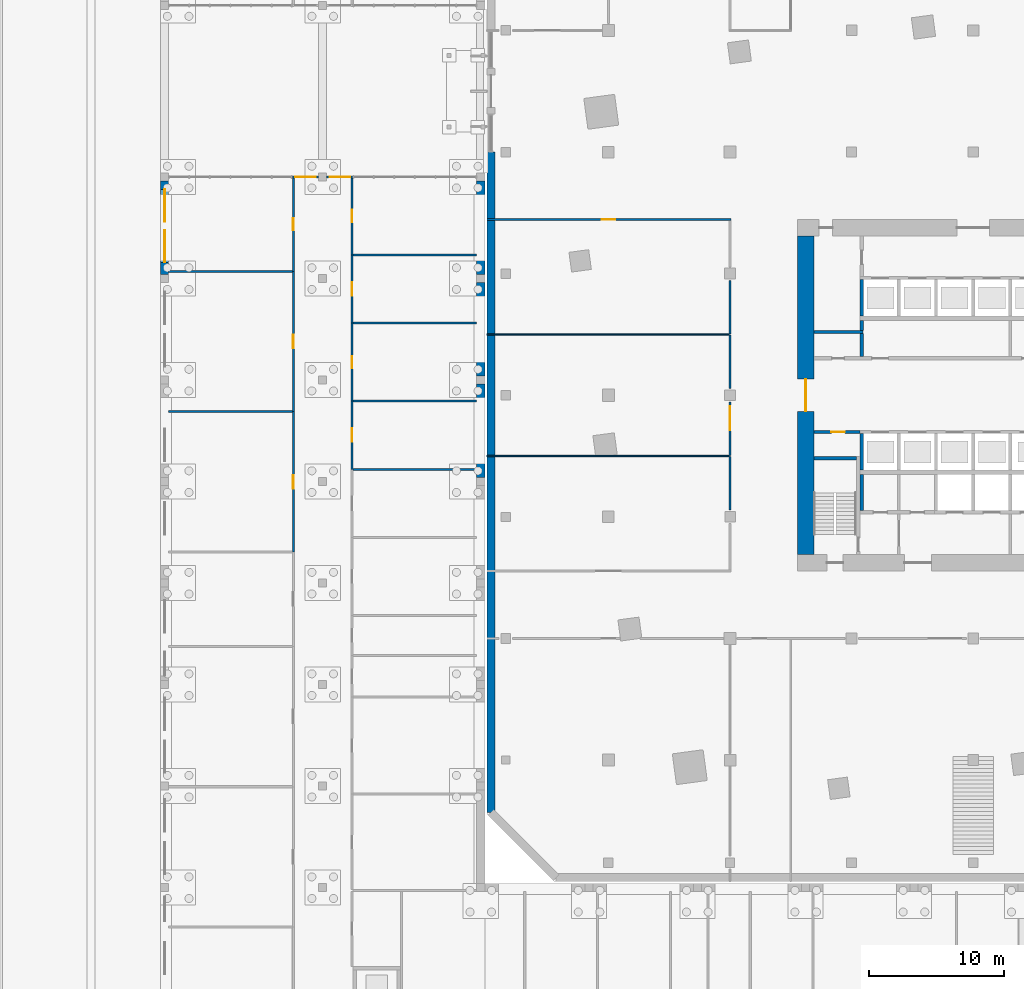
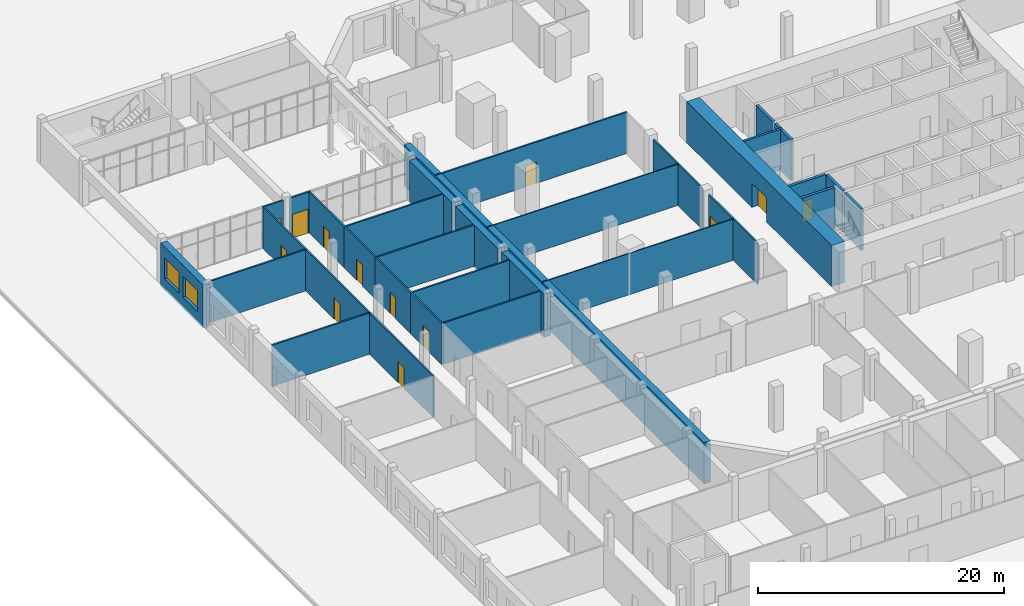
# One storey, part 29 of 42: 36 walls, 13 doors, 2 windows, 15 openings.
"""IFC4 building model written with IfcOpenShell, lengths in metres."""

from ifc_helpers import new_model, si_unit, direction, frame, frame_2d, origin, place, context, subcontext, project, spatial, rectangle, extrude, material, layer, layer_set, type_object, element, fill, save


model = new_model("IFC4")

# Units and contexts
model_context = context("Model", 3, precision=1e-05, world=origin(), true_north=direction((0.0, 1.0)))
body_context = subcontext(model_context, "Body", "Model", "MODEL_VIEW")
ifc_project = project(units=[si_unit("LENGTHUNIT", "METRE"), si_unit("AREAUNIT", "SQUARE_METRE"), si_unit("VOLUMEUNIT", "CUBIC_METRE"), si_unit("PLANEANGLEUNIT", "RADIAN"), si_unit("MASSUNIT", "GRAM", prefix="KILO")], contexts=[model_context])

# Site, building, storey
site_placement = place(None, origin())
site = spatial("IfcSite", under=ifc_project, at=site_placement, CompositionType="ELEMENT")
building_placement = place(site_placement, origin())
building = spatial("IfcBuilding", under=site, at=building_placement, Name="Dilmun Exchange Tower", CompositionType="ELEMENT")
storey_placement = place(building_placement, origin())
storey = spatial("IfcBuildingStorey", under=building, at=storey_placement, Name="L00", CompositionType="ELEMENT", Elevation=0.0)

# Walls
ifc_material_1 = material(Name="Concrete C40/50", Category="concrete")
ifc_layer_1 = layer(ifc_material_1, 0.199951171875)
ifc_layer_set_1 = layer_set([ifc_layer_1], Name="Concrete C40/50")
wall_type_1 = type_object("IfcWallType", Name="Core partition wall 200", PredefinedType="PARTITIONING", material=ifc_layer_set_1)
wall_1_placement = place(storey_placement, frame((-11.794921875, 4.675048828125, 0.0), z_axis=(0.0, 0.0, 1.0), x_axis=(1.0, 0.0, 0.0)))
element("IfcWall", 1, at=wall_1_placement, inside=storey, type_object=wall_type_1, Name="L00 core partition wall 14", PredefinedType="PARTITIONING", context=body_context, shape_type="SweptSolid", body=[
    extrude(rectangle(XDim=3.64501953125, YDim=0.199951171875, at=frame_2d((1.822509765625, 0.0))), origin(), (0.0, 0.0, 1.0), 4.10009765625),
])
ifc_layer_2 = layer(ifc_material_1, 0.25)
ifc_layer_set_2 = layer_set([ifc_layer_2], Name="Concrete C40/50")
wall_type_2 = type_object("IfcWallType", Name="Core partition wall 250", PredefinedType="PARTITIONING", material=ifc_layer_set_2)
wall_2_placement = place(storey_placement, frame((-8.25, -8.544921875, 0.0), z_axis=(0.0, 0.0, 1.0), x_axis=(0.0, 1.0, 0.0)))
element("IfcWall", 2, at=wall_2_placement, inside=storey, type_object=wall_type_2, Name="L00 core partition wall 04", PredefinedType="PARTITIONING", context=body_context, shape_type="SweptSolid", body=[
    extrude(rectangle(XDim=2.68994140625, YDim=0.25, at=frame_2d((1.344970703125, 0.0))), origin(), (0.0, 0.0, 1.0), 4.10009765625),
])

# Wall, opening, door
wall_3_placement = place(storey_placement, frame((-11.794921875, -2.72509765625, 0.0), z_axis=(0.0, 0.0, 1.0), x_axis=(1.0, 0.0, 0.0)))
wall_3 = element("IfcWall", 3, at=wall_3_placement, inside=storey, type_object=wall_type_2, Name="L00 core partition wall 07", PredefinedType="PARTITIONING", context=body_context, shape_type="SweptSolid", body=[
    extrude(rectangle(XDim=3.4150390625, YDim=0.25, at=frame_2d((1.70751953125, 0.0))), origin(), (0.0, 0.0, 1.0), 4.10009765625),
])
opening_1_placement = place(wall_3_placement, frame((1.294921875, 0.0, 0.0)))
opening_1 = element("IfcOpeningElement", 4, at=opening_1_placement, cuts=wall_3, Name="Opening CD4", PredefinedType="OPENING", context=body_context, shape_type="SweptSolid", body=[
    extrude(rectangle(XDim=1.0, YDim=2.10009765625, at=frame_2d((0.5, 1.050048828125))), frame((0.0, 0.135009765625, 0.0), z_axis=(0.0, -1.0, 0.0), x_axis=(1.0, 0.0, 0.0)), (0.0, 0.0, 1.0), 0.27001953125),
])
ifc_material_2 = material(Name="Fire-rated steel door set", Category="steel")
door_type_1 = type_object("IfcDoorType", Name="Core room door 1000x2100", OperationType="SINGLE_SWING_LEFT", PredefinedType="DOOR", material=ifc_material_2)
door_1_placement = place(opening_1_placement, origin())
door_1 = element("IfcDoor", 5, at=door_1_placement, inside=storey, type_object=door_type_1, Name="L00 door Accessible WC", OperationType="SINGLE_SWING_LEFT", OverallHeight=2.10009765625, OverallWidth=1.0, PredefinedType="DOOR", context=body_context, shape_type="SweptSolid", body=[
    extrude(rectangle(XDim=1.0, YDim=2.10009765625, at=frame_2d((0.5, 1.050048828125))), frame((0.0, 0.02490234375, 0.0), z_axis=(0.0, -1.0, 0.0), x_axis=(1.0, 0.0, 0.0)), (0.0, 0.0, 1.0), 0.050048828125),
])
fill(opening_1, door_1)

# Walls
wall_4_placement = place(storey_placement, frame((-8.25, 2.85498046875, 0.0), z_axis=(0.0, 0.0, 1.0), x_axis=(0.0, 1.0, 0.0)))
element("IfcWall", 6, at=wall_4_placement, inside=storey, type_object=wall_type_2, Name="L00 core partition wall 11", PredefinedType="PARTITIONING", context=body_context, shape_type="SweptSolid", body=[
    extrude(rectangle(XDim=1.715087890625, YDim=0.25, at=frame_2d((0.857421875, 0.0))), origin(), (0.0, 0.0, 1.0), 4.10009765625),
])
wall_5_placement = place(storey_placement, frame((-8.25, 4.780029296875, 0.0), z_axis=(0.0, 0.0, 1.0), x_axis=(0.0, 1.0, 0.0)))
element("IfcWall", 7, at=wall_5_placement, inside=storey, type_object=wall_type_2, Name="L00 core partition wall 15", PredefinedType="PARTITIONING", context=body_context, shape_type="SweptSolid", body=[
    extrude(rectangle(XDim=0.764892578125, YDim=0.25, at=frame_2d((0.38232421875, 0.0))), origin(), (0.0, 0.0, 1.0), 4.10009765625),
])

# Wall, opening, door
ifc_material_3 = material(Name="Concrete C80/95", Category="concrete")
ifc_layer_3 = layer(ifc_material_3, 1.199951171875)
ifc_layer_set_3 = layer_set([ifc_layer_3], Name="Concrete C80/95")
wall_type_3 = type_object("IfcWallType", Name="Core shear wall 1200 Concrete C80/95", PredefinedType="SHEAR", material=ifc_layer_set_3)
wall_6_placement = place(storey_placement, frame((-12.39990234375, -11.800048828125, 0.0), z_axis=(0.0, 0.0, 1.0), x_axis=(0.0, 1.0, 0.0)))
wall_6 = element("IfcWall", 8, at=wall_6_placement, inside=storey, type_object=wall_type_3, Name="L00 core shear wall W", PredefinedType="SHEAR", context=body_context, shape_type="SweptSolid", body=[
    extrude(rectangle(XDim=23.60009765625, YDim=1.199951171875, at=frame_2d((11.800048828125, 0.0))), origin(), (0.0, 0.0, 1.0), 4.10009765625),
])
opening_2_placement = place(wall_6_placement, frame((10.60009765625, 0.0, 0.0)))
opening_2 = element("IfcOpeningElement", 9, at=opening_2_placement, cuts=wall_6, Name="Opening CD1", PredefinedType="OPENING", context=body_context, shape_type="SweptSolid", body=[
    extrude(rectangle(XDim=2.39990234375, YDim=2.39990234375, at=frame_2d((1.199951171875, 1.199951171875))), frame((0.0, 0.60986328125, 0.0), z_axis=(0.0, -1.0, 0.0), x_axis=(1.0, 0.0, 0.0)), (0.0, 0.0, 1.0), 1.219970703125),
])
door_type_2 = type_object("IfcDoorType", Name="Core lobby door 2400x2400", OperationType="DOUBLE_DOOR_DOUBLE_SWING", PredefinedType="DOOR", material=ifc_material_2)
door_2_placement = place(opening_2_placement, origin())
door_2 = element("IfcDoor", 10, at=door_2_placement, inside=storey, type_object=door_type_2, Name="L00 door Central lift lobby", OperationType="SINGLE_SWING_LEFT", OverallHeight=2.39990234375, OverallWidth=2.39990234375, PredefinedType="DOOR", context=body_context, shape_type="SweptSolid", body=[
    extrude(rectangle(XDim=2.39990234375, YDim=2.39990234375, at=frame_2d((1.199951171875, 1.199951171875))), frame((0.0, 0.02490234375, 0.0), z_axis=(0.0, -1.0, 0.0), x_axis=(1.0, 0.0, 0.0)), (0.0, 0.0, 1.0), 0.050048828125),
])
fill(opening_2, door_2)

ifc_material_4 = material(Name="Fire partition EI 60 150 gypsum")
ifc_layer_4 = layer(ifc_material_4, 0.14990234375)
ifc_layer_set_4 = layer_set([ifc_layer_4], Name="Fire partition EI 60 150 gypsum")
wall_type_4 = type_object("IfcWallType", Name="Fire partition EI 60 150 gypsum", PredefinedType="PARTITIONING", material=ifc_layer_set_4)
wall_7_placement = place(storey_placement, frame((-36.0, 13.0, 0.0), z_axis=(0.0, 0.0, 1.0), x_axis=(1.0, 0.0, 0.0)))
wall_7 = element("IfcWall", 11, at=wall_7_placement, inside=storey, type_object=wall_type_4, Name="L00 partition", PredefinedType="PARTITIONING", context=body_context, shape_type="SweptSolid", body=[
    extrude(rectangle(XDim=18.074951171875, YDim=0.14990234375, at=frame_2d((9.03759765625, 0.0))), origin(), (0.0, 0.0, 1.0), 4.10009765625),
])
opening_3_placement = place(wall_7_placement, frame((8.5, 0.0, 0.0)))
opening_3 = element("IfcOpeningElement", 12, at=opening_3_placement, cuts=wall_7, Name="Opening L00-D013", PredefinedType="OPENING", context=body_context, shape_type="SweptSolid", body=[
    extrude(rectangle(XDim=1.0, YDim=2.10009765625, at=frame_2d((0.5, 1.050048828125))), frame((0.0, 0.0849609375, 0.0), z_axis=(0.0, -1.0, 0.0), x_axis=(1.0, 0.0, 0.0)), (0.0, 0.0, 1.0), 0.169921875),
])
ifc_material_5 = material(Name="Fire door FD60 1000 x 2100")
door_type_3 = type_object("IfcDoorType", Name="Fire door FD60 1000 x 2100", OperationType="SINGLE_SWING_LEFT", PredefinedType="DOOR", material=ifc_material_5)
door_3_placement = place(opening_3_placement, origin())
door_3 = element("IfcDoor", 13, at=door_3_placement, inside=storey, type_object=door_type_3, Name="L00 door L00-D013", OperationType="SINGLE_SWING_LEFT", OverallHeight=2.10009765625, OverallWidth=1.0, PredefinedType="DOOR", context=body_context, shape_type="SweptSolid", body=[
    extrude(rectangle(XDim=1.0, YDim=2.10009765625, at=frame_2d((0.5, 1.050048828125))), frame((0.0, 0.02490234375, 0.0), z_axis=(0.0, -1.0, 0.0), x_axis=(1.0, 0.0, 0.0)), (0.0, 0.0, 1.0), 0.050048828125),
])
fill(opening_3, door_3)

# Wall
wall_8_placement = place(storey_placement, frame((-18.0, -8.5, 0.0), z_axis=(0.0, 0.0, 1.0), x_axis=(0.0, 1.0, 0.0)))
element("IfcWall", 14, at=wall_8_placement, inside=storey, type_object=wall_type_4, Name="L00 partition", PredefinedType="PARTITIONING", context=body_context, shape_type="SweptSolid", body=[
    extrude(rectangle(XDim=3.949951171875, YDim=0.14990234375, at=frame_2d((1.97509765625, 0.0))), origin(), (0.0, 0.0, 1.0), 4.10009765625),
])

# Wall, opening, door
wall_9_placement = place(storey_placement, frame((-18.0, -4.449951171875, 0.0), z_axis=(0.0, 0.0, 1.0), x_axis=(0.0, 1.0, 0.0)))
wall_9 = element("IfcWall", 15, at=wall_9_placement, inside=storey, type_object=wall_type_4, Name="L00 partition", PredefinedType="PARTITIONING", context=body_context, shape_type="SweptSolid", body=[
    extrude(rectangle(XDim=3.949951171875, YDim=0.14990234375, at=frame_2d((1.97509765625, 0.0))), origin(), (0.0, 0.0, 1.0), 4.10009765625),
])
opening_4_placement = place(wall_9_placement, frame((1.85009765625, 0.0, 0.0)))
opening_4 = element("IfcOpeningElement", 16, at=opening_4_placement, cuts=wall_9, Name="Opening L00-D012", PredefinedType="OPENING", context=body_context, shape_type="SweptSolid", body=[
    extrude(rectangle(XDim=1.800048828125, YDim=2.10009765625, at=frame_2d((0.89990234375, 1.050048828125))), frame((0.0, 0.0849609375, 0.0), z_axis=(0.0, -1.0, 0.0), x_axis=(1.0, 0.0, 0.0)), (0.0, 0.0, 1.0), 0.169921875),
])
ifc_material_6 = material(Name="Fire door FD60 double 1800 x 2100")
door_type_4 = type_object("IfcDoorType", Name="Fire door FD60 double 1800 x 2100", OperationType="DOUBLE_DOOR_SINGLE_SWING", PredefinedType="DOOR", material=ifc_material_6)
door_4_placement = place(opening_4_placement, origin())
door_4 = element("IfcDoor", 17, at=door_4_placement, inside=storey, type_object=door_type_4, Name="L00 door L00-D012", OperationType="DOUBLE_DOOR_SINGLE_SWING", OverallHeight=2.10009765625, OverallWidth=1.800048828125, PredefinedType="DOOR", context=body_context, shape_type="SweptSolid", body=[
    extrude(rectangle(XDim=1.800048828125, YDim=2.10009765625, at=frame_2d((0.89990234375, 1.050048828125))), frame((0.0, 0.02490234375, 0.0), z_axis=(0.0, -1.0, 0.0), x_axis=(1.0, 0.0, 0.0)), (0.0, 0.0, 1.0), 0.050048828125),
])
fill(opening_4, door_4)

# Walls
for number, where, z_axis, x_axis, name in (
    (18, (-18.0, 0.5, 0.0), (0.0, 0.0, 1.0), (0.0, 1.0, 0.0), "L00 partition"),
    (19, (-18.0, 4.550048828125, 0.0), (0.0, 0.0, 1.0), (0.0, 1.0, 0.0), "L00 partition"),
):
    element("IfcWall", number, at=place(storey_placement, frame(where, z_axis=z_axis, x_axis=x_axis)), inside=storey, type_object=wall_type_4, Name=name, PredefinedType="PARTITIONING", context=body_context, shape_type="SweptSolid", body=[
        extrude(rectangle(XDim=3.949951171875, YDim=0.14990234375, at=frame_2d((1.97509765625, 0.0))), origin(), (0.0, 0.0, 1.0), 4.10009765625),
    ])
ifc_layer_5 = layer(ifc_material_1, 0.25)
ifc_layer_set_5 = layer_set([ifc_layer_5], Name="Concrete C40/50")
wall_type_5 = type_object("IfcWallType", Name="Lift shaft wall 250", PredefinedType="SOLIDWALL", material=ifc_layer_set_5)
for number, where, z_axis, x_axis, name in (
    (20, (-8.25, 5.85009765625, 0.0), (0.0, 0.0, 1.0), (0.0, 1.0, 0.0), "L00 lift shaft divider N20"),
    (21, (-8.25, -5.550048828125, 0.0), (0.0, 0.0, 1.0), (0.0, 1.0, 0.0), "L00 lift shaft divider S10"),
):
    element("IfcWall", number, at=place(storey_placement, frame(where, z_axis=z_axis, x_axis=x_axis)), inside=storey, type_object=wall_type_5, Name=name, PredefinedType="SOLIDWALL", context=body_context, shape_type="SweptSolid", body=[
        extrude(rectangle(XDim=2.699951171875, YDim=0.25, at=frame_2d((1.35009765625, 0.0))), origin(), (0.0, 0.0, 1.0), 4.10009765625),
    ])
ifc_material_7 = material(Name="Partition 100 gypsum")
ifc_layer_6 = layer(ifc_material_7, 0.10009765625)
ifc_layer_set_6 = layer_set([ifc_layer_6], Name="Partition 100 gypsum")
wall_type_6 = type_object("IfcWallType", Name="Partition 100 gypsum", PredefinedType="PARTITIONING", material=ifc_layer_set_6)
for number, where, z_axis, x_axis, name in (
    (22, (-36.0, -4.5, 0.0), (0.0, 0.0, 1.0), (1.0, 0.0, 0.0), "L00 partition"),
    (23, (-36.0, 4.5, 0.0), (0.0, 0.0, 1.0), (1.0, 0.0, 0.0), "L00 partition"),
):
    element("IfcWall", number, at=place(storey_placement, frame(where, z_axis=z_axis, x_axis=x_axis)), inside=storey, type_object=wall_type_6, Name=name, PredefinedType="PARTITIONING", context=body_context, shape_type="SweptSolid", body=[
        extrude(rectangle(XDim=17.925048828125, YDim=0.10009765625, at=frame_2d((8.96240234375, 0.0))), origin(), (0.0, 0.0, 1.0), 4.10009765625),
    ])
ifc_material_8 = material(Name="Precast concrete C50/60", Category="concrete")
ifc_layer_7 = layer(ifc_material_8, 0.60009765625)
ifc_layer_set_7 = layer_set([ifc_layer_7], Name="Precast concrete C50/60")
wall_type_7 = type_object("IfcWallType", Name="Precast stone-clad wall 600", PredefinedType="STANDARD", material=ifc_layer_set_7)
wall_10_placement = place(storey_placement, frame((-35.699951171875, 18.0, 0.0), z_axis=(0.0, 0.0, 1.0), x_axis=(0.0, -1.0, 0.0)))
element("IfcWall", 24, at=wall_10_placement, inside=storey, type_object=wall_type_7, Name="Facade wall L00-06-4", PredefinedType="STANDARD", context=body_context, shape_type="SweptSolid", body=[
    extrude(rectangle(XDim=48.875732421875, YDim=0.60009765625, at=frame_2d((24.43798828125, 0.0))), origin(), (0.0, 0.0, 1.0), 4.10009765625),
])

# Wall, opening, door
ifc_material_9 = material(Name="Gypsum board on steel studs", Category="steel")
ifc_layer_8 = layer(ifc_material_9, 0.14990234375)
ifc_layer_set_8 = layer_set([ifc_layer_8], Name="Gypsum board on steel studs")
wall_type_8 = type_object("IfcWallType", Name="School arcade end wall 150 glazed frame", PredefinedType="PARTITIONING", material=ifc_layer_set_8)
wall_11_placement = place(storey_placement, frame((-50.39990234375, 16.14990234375, 0.0), z_axis=(0.0, 0.0, 1.0), x_axis=(1.0, 0.0, 0.0)))
wall_11 = element("IfcWall", 25, at=wall_11_placement, inside=storey, type_object=wall_type_8, Name="School arcade end wall", PredefinedType="PARTITIONING", context=body_context, shape_type="SweptSolid", body=[
    extrude(rectangle(XDim=1.949951171875, YDim=0.14990234375, at=frame_2d((0.97509765625, 0.0))), origin(), (0.0, 0.0, 1.0), 4.10009765625),
])
opening_5_placement = place(wall_11_placement, frame((0.22509765625, 0.0, 0.0)))
opening_5 = element("IfcOpeningElement", 26, at=opening_5_placement, cuts=wall_11, Name="Opening SCH-D5", PredefinedType="OPENING", context=body_context, shape_type="SweptSolid", body=[
    extrude(rectangle(XDim=1.5, YDim=2.39990234375, at=frame_2d((0.75, 1.199951171875))), frame((0.0, 0.0849609375, 0.0), z_axis=(0.0, -1.0, 0.0), x_axis=(1.0, 0.0, 0.0)), (0.0, 0.0, 1.0), 0.169921875),
])
ifc_material_10 = material(Name="Clear low-emissivity glass in aluminium frame", Category="aluminium")
door_type_5 = type_object("IfcDoorType", Name="School glazed double door 1500 x 2400", OperationType="DOUBLE_DOOR_SINGLE_SWING", PredefinedType="DOOR", material=ifc_material_10)
door_5_placement = place(opening_5_placement, origin())
door_5 = element("IfcDoor", 27, at=door_5_placement, inside=storey, type_object=door_type_5, Name="Corridor end door onto arcade", OperationType="DOUBLE_DOOR_SINGLE_SWING", OverallHeight=2.39990234375, OverallWidth=1.5, PredefinedType="DOOR", context=body_context, shape_type="SweptSolid", body=[
    extrude(rectangle(XDim=1.5, YDim=2.39990234375, at=frame_2d((0.75, 1.199951171875))), frame((0.0, 0.02490234375, 0.0), z_axis=(0.0, -1.0, 0.0), x_axis=(1.0, 0.0, 0.0)), (0.0, 0.0, 1.0), 0.050048828125),
])
fill(opening_5, door_5)

wall_12_placement = place(storey_placement, frame((-47.85009765625, 16.14990234375, 0.0), z_axis=(0.0, 0.0, 1.0), x_axis=(1.0, 0.0, 0.0)))
wall_12 = element("IfcWall", 28, at=wall_12_placement, inside=storey, type_object=wall_type_8, Name="School arcade end wall", PredefinedType="PARTITIONING", context=body_context, shape_type="SweptSolid", body=[
    extrude(rectangle(XDim=1.9501953125, YDim=0.14990234375, at=frame_2d((0.97509765625, 0.0))), origin(), (0.0, 0.0, 1.0), 4.10009765625),
])
opening_6_placement = place(wall_12_placement, frame((0.22509765625, 0.0, 0.0)))
opening_6 = element("IfcOpeningElement", 29, at=opening_6_placement, cuts=wall_12, Name="Opening SCH-D5", PredefinedType="OPENING", context=body_context, shape_type="SweptSolid", body=[
    extrude(rectangle(XDim=1.5, YDim=2.39990234375, at=frame_2d((0.75, 1.199951171875))), frame((0.0, 0.0849609375, 0.0), z_axis=(0.0, -1.0, 0.0), x_axis=(1.0, 0.0, 0.0)), (0.0, 0.0, 1.0), 0.169921875),
])
door_6_placement = place(opening_6_placement, origin())
door_6 = element("IfcDoor", 30, at=door_6_placement, inside=storey, type_object=door_type_5, Name="Corridor end door onto arcade", OperationType="DOUBLE_DOOR_SINGLE_SWING", OverallHeight=2.39990234375, OverallWidth=1.5, PredefinedType="DOOR", context=body_context, shape_type="SweptSolid", body=[
    extrude(rectangle(XDim=1.5, YDim=2.39990234375, at=frame_2d((0.75, 1.199951171875))), frame((0.0, 0.02490234375, 0.0), z_axis=(0.0, -1.0, 0.0), x_axis=(1.0, 0.0, 0.0)), (0.0, 0.0, 1.0), 0.050048828125),
])
fill(opening_6, door_6)

# Wall, openings, windows
ifc_material_11 = material(Name="Precast concrete C40/50", Category="concrete")
ifc_layer_9 = layer(ifc_material_11, 0.60009765625)
ifc_layer_set_9 = layer_set([ifc_layer_9], Name="Precast concrete C40/50")
wall_type_9 = type_object("IfcWallType", Name="School external wall 600 precast C40/50", PredefinedType="STANDARD", material=ifc_layer_set_9)
wall_13_placement = place(storey_placement, frame((-59.85009765625, 8.935791015625, -0.199951171875), z_axis=(0.0, 0.0, 1.0), x_axis=(0.0, 1.0, 0.0)))
wall_13 = element("IfcWall", 31, at=wall_13_placement, inside=storey, type_object=wall_type_9, Name="School external wall", PredefinedType="STANDARD", context=body_context, shape_type="SweptSolid", body=[
    extrude(rectangle(XDim=6.914306640625, YDim=0.60009765625, at=frame_2d((3.45703125, 0.0))), origin(), (0.0, 0.0, 1.0), 4.300048828125),
])
opening_7_placement = place(wall_13_placement, frame((0.889892578125, 0.0, 1.10009765625)))
opening_7 = element("IfcOpeningElement", 32, at=opening_7_placement, cuts=wall_13, Name="Opening SCH-W24", PredefinedType="OPENING", context=body_context, shape_type="SweptSolid", body=[
    extrude(rectangle(XDim=2.39990234375, YDim=2.10009765625, at=frame_2d((1.199951171875, 1.050048828125))), frame((0.0, 0.31005859375, 0.0), z_axis=(0.0, -1.0, 0.0), x_axis=(1.0, 0.0, 0.0)), (0.0, 0.0, 1.0), 0.6201171875),
])
opening_8_placement = place(wall_13_placement, frame((3.906005859375, 0.0, 1.10009765625)))
opening_8 = element("IfcOpeningElement", 33, at=opening_8_placement, cuts=wall_13, Name="Opening SCH-W24", PredefinedType="OPENING", context=body_context, shape_type="SweptSolid", body=[
    extrude(rectangle(XDim=2.39990234375, YDim=2.10009765625, at=frame_2d((1.199951171875, 1.050048828125))), frame((0.0, 0.31005859375, 0.0), z_axis=(0.0, -1.0, 0.0), x_axis=(1.0, 0.0, 0.0)), (0.0, 0.0, 1.0), 0.6201171875),
])
window_type = type_object("IfcWindowType", Name="School window 2400 x 2100", PartitioningType="DOUBLE_PANEL_VERTICAL", PredefinedType="WINDOW", material=ifc_material_10)
window_1_placement = place(opening_7_placement, origin())
window_1 = element("IfcWindow", 34, at=window_1_placement, inside=storey, type_object=window_type, Name="School window", OverallHeight=2.10009765625, OverallWidth=2.39990234375, PartitioningType="SINGLE_PANEL", PredefinedType="WINDOW", context=body_context, shape_type="SweptSolid", body=[
    extrude(rectangle(XDim=2.39990234375, YDim=2.10009765625, at=frame_2d((1.199951171875, 1.050048828125))), frame((0.0, 0.030029296875, 0.0), z_axis=(0.0, -1.0, 0.0), x_axis=(1.0, 0.0, 0.0)), (0.0, 0.0, 1.0), 0.06005859375),
])
fill(opening_7, window_1)
window_2_placement = place(opening_8_placement, origin())
window_2 = element("IfcWindow", 35, at=window_2_placement, inside=storey, type_object=window_type, Name="School window", OverallHeight=2.10009765625, OverallWidth=2.39990234375, PartitioningType="SINGLE_PANEL", PredefinedType="WINDOW", context=body_context, shape_type="SweptSolid", body=[
    extrude(rectangle(XDim=2.39990234375, YDim=2.10009765625, at=frame_2d((1.199951171875, 1.050048828125))), frame((0.0, 0.030029296875, 0.0), z_axis=(0.0, -1.0, 0.0), x_axis=(1.0, 0.0, 0.0)), (0.0, 0.0, 1.0), 0.06005859375),
])
fill(opening_8, window_2)

# Walls
for number, where, z_axis, x_axis, name in (
    (36, (-36.449951171875, 15.85009765625, -0.199951171875), (0.0, 0.0, 1.0), (0.0, -1.0, 0.0), "School external wall"),
    (37, (-36.449951171875, 8.335693359375, -0.199951171875), (0.0, 0.0, 1.0), (0.0, -1.0, 0.0), "School external wall"),
    (38, (-36.449951171875, 0.8212890625, -0.199951171875), (0.0, 0.0, 1.0), (0.0, -1.0, 0.0), "School external wall"),
):
    element("IfcWall", number, at=place(storey_placement, frame(where, z_axis=z_axis, x_axis=x_axis)), inside=storey, type_object=wall_type_9, Name=name, PredefinedType="STANDARD", context=body_context, shape_type="SweptSolid", body=[
        extrude(rectangle(XDim=6.914306640625, YDim=0.60009765625, at=frame_2d((3.45703125, 0.0))), origin(), (0.0, 0.0, 1.0), 4.300048828125),
    ])
ifc_layer_10 = layer(ifc_material_9, 0.14990234375)
ifc_layer_set_10 = layer_set([ifc_layer_10], Name="Gypsum board on steel studs")
wall_type_10 = type_object("IfcWallType", Name="School partition 150 gypsum board", PredefinedType="PARTITIONING", material=ifc_layer_set_10)
for number, where, z_axis, x_axis, name in (
    (39, (-59.550048828125, -1.21923828125, 0.0), (0.0, 0.0, 1.0), (1.0, 0.0, 0.0), "School partition"),
    (40, (-59.550048828125, 9.17236328125, 0.0), (0.0, 0.0, 1.0), (1.0, 0.0, 0.0), "School partition"),
):
    element("IfcWall", number, at=place(storey_placement, frame(where, z_axis=z_axis, x_axis=x_axis)), inside=storey, type_object=wall_type_10, Name=name, PredefinedType="PARTITIONING", context=body_context, shape_type="SweptSolid", body=[
        extrude(rectangle(XDim=9.150146484375, YDim=0.14990234375, at=frame_2d((4.5751953125, 0.0))), origin(), (0.0, 0.0, 1.0), 4.10009765625),
    ])

# Wall, opening, door
wall_14_placement = place(storey_placement, frame((-50.324951171875, -11.610595703125, 0.0), z_axis=(0.0, 0.0, 1.0), x_axis=(0.0, 1.0, 0.0)))
wall_14 = element("IfcWall", 41, at=wall_14_placement, inside=storey, type_object=wall_type_10, Name="School corridor wall", PredefinedType="PARTITIONING", context=body_context, shape_type="SweptSolid", body=[
    extrude(rectangle(XDim=10.391357421875, YDim=0.14990234375, at=frame_2d((5.19580078125, 0.0))), origin(), (0.0, 0.0, 1.0), 4.10009765625),
])
opening_9_placement = place(wall_14_placement, frame((4.69580078125, 0.0, 0.0)))
opening_9 = element("IfcOpeningElement", 42, at=opening_9_placement, cuts=wall_14, Name="Opening SCH-D1", PredefinedType="OPENING", context=body_context, shape_type="SweptSolid", body=[
    extrude(rectangle(XDim=1.0, YDim=2.10009765625, at=frame_2d((0.5, 1.050048828125))), frame((0.0, 0.0849609375, 0.0), z_axis=(0.0, -1.0, 0.0), x_axis=(1.0, 0.0, 0.0)), (0.0, 0.0, 1.0), 0.169921875),
])
ifc_material_12 = material(Name="Timber door leaf in steel frame", Category="steel")
door_type_6 = type_object("IfcDoorType", Name="School door FD30S 1000 x 2100", OperationType="NOTDEFINED", PredefinedType="DOOR", material=ifc_material_12)
door_7_placement = place(opening_9_placement, origin())
door_7 = element("IfcDoor", 43, at=door_7_placement, inside=storey, type_object=door_type_6, Name="Drama studio door", OperationType="SINGLE_SWING_LEFT", OverallHeight=2.10009765625, OverallWidth=1.0, PredefinedType="DOOR", context=body_context, shape_type="SweptSolid", body=[
    extrude(rectangle(XDim=1.0, YDim=2.10009765625, at=frame_2d((0.5, 1.050048828125))), frame((0.0, 0.02490234375, 0.0), z_axis=(0.0, -1.0, 0.0), x_axis=(1.0, 0.0, 0.0)), (0.0, 0.0, 1.0), 0.050048828125),
])
fill(opening_9, door_7)

wall_15_placement = place(storey_placement, frame((-50.324951171875, -1.21923828125, 0.0), z_axis=(0.0, 0.0, 1.0), x_axis=(0.0, 1.0, 0.0)))
wall_15 = element("IfcWall", 44, at=wall_15_placement, inside=storey, type_object=wall_type_10, Name="School corridor wall", PredefinedType="PARTITIONING", context=body_context, shape_type="SweptSolid", body=[
    extrude(rectangle(XDim=10.3916015625, YDim=0.14990234375, at=frame_2d((5.19580078125, 0.0))), origin(), (0.0, 0.0, 1.0), 4.10009765625),
])
opening_10_placement = place(wall_15_placement, frame((4.69580078125, 0.0, 0.0)))
opening_10 = element("IfcOpeningElement", 45, at=opening_10_placement, cuts=wall_15, Name="Opening SCH-D1", PredefinedType="OPENING", context=body_context, shape_type="SweptSolid", body=[
    extrude(rectangle(XDim=1.0, YDim=2.10009765625, at=frame_2d((0.5, 1.050048828125))), frame((0.0, 0.0849609375, 0.0), z_axis=(0.0, -1.0, 0.0), x_axis=(1.0, 0.0, 0.0)), (0.0, 0.0, 1.0), 0.169921875),
])
door_8_placement = place(opening_10_placement, origin())
door_8 = element("IfcDoor", 46, at=door_8_placement, inside=storey, type_object=door_type_6, Name="Dance studio door", OperationType="SINGLE_SWING_RIGHT", OverallHeight=2.10009765625, OverallWidth=1.0, PredefinedType="DOOR", context=body_context, shape_type="SweptSolid", body=[
    extrude(rectangle(XDim=1.0, YDim=2.10009765625, at=frame_2d((0.5, 1.050048828125))), frame((0.0, 0.02490234375, 0.0), z_axis=(0.0, -1.0, 0.0), x_axis=(1.0, 0.0, 0.0)), (0.0, 0.0, 1.0), 0.050048828125),
])
fill(opening_10, door_8)

wall_16_placement = place(storey_placement, frame((-50.324951171875, 9.17236328125, 0.0), z_axis=(0.0, 0.0, 1.0), x_axis=(0.0, 1.0, 0.0)))
wall_16 = element("IfcWall", 47, at=wall_16_placement, inside=storey, type_object=wall_type_10, Name="School corridor wall", PredefinedType="PARTITIONING", context=body_context, shape_type="SweptSolid", body=[
    extrude(rectangle(XDim=6.902587890625, YDim=0.14990234375, at=frame_2d((3.451171875, 0.0))), origin(), (0.0, 0.0, 1.0), 4.10009765625),
])
opening_11_placement = place(wall_16_placement, frame((3.038818359375, 0.0, 0.0)))
opening_11 = element("IfcOpeningElement", 48, at=opening_11_placement, cuts=wall_16, Name="Opening SCH-D2", PredefinedType="OPENING", context=body_context, shape_type="SweptSolid", body=[
    extrude(rectangle(XDim=0.89990234375, YDim=2.10009765625, at=frame_2d((0.449951171875, 1.050048828125))), frame((0.0, 0.0849609375, 0.0), z_axis=(0.0, -1.0, 0.0), x_axis=(1.0, 0.0, 0.0)), (0.0, 0.0, 1.0), 0.169921875),
])
door_type_7 = type_object("IfcDoorType", Name="School door FD30S 900 x 2100", OperationType="NOTDEFINED", PredefinedType="DOOR", material=ifc_material_12)
door_9_placement = place(opening_11_placement, origin())
door_9 = element("IfcDoor", 49, at=door_9_placement, inside=storey, type_object=door_type_7, Name="Science preparation room door", OperationType="SINGLE_SWING_LEFT", OverallHeight=2.10009765625, OverallWidth=0.89990234375, PredefinedType="DOOR", context=body_context, shape_type="SweptSolid", body=[
    extrude(rectangle(XDim=0.89990234375, YDim=2.10009765625, at=frame_2d((0.449951171875, 1.050048828125))), frame((0.0, 0.02490234375, 0.0), z_axis=(0.0, -1.0, 0.0), x_axis=(1.0, 0.0, 0.0)), (0.0, 0.0, 1.0), 0.050048828125),
])
fill(opening_11, door_9)

# Walls
for number, where, z_axis, x_axis, name in (
    (50, (-45.89990234375, -5.48486328125, 0.0), (0.0, 0.0, 1.0), (1.0, 0.0, 0.0), "School partition"),
    (51, (-45.89990234375, -0.4267578125, 0.0), (0.0, 0.0, 1.0), (1.0, 0.0, 0.0), "School partition"),
    (52, (-45.89990234375, 5.33251953125, 0.0), (0.0, 0.0, 1.0), (1.0, 0.0, 0.0), "School partition"),
    (53, (-45.89990234375, 10.390625, 0.0), (0.0, 0.0, 1.0), (1.0, 0.0, 0.0), "School partition"),
):
    element("IfcWall", number, at=place(storey_placement, frame(where, z_axis=z_axis, x_axis=x_axis)), inside=storey, type_object=wall_type_10, Name=name, PredefinedType="PARTITIONING", context=body_context, shape_type="SweptSolid", body=[
        extrude(rectangle(XDim=9.14990234375, YDim=0.14990234375, at=frame_2d((4.574951171875, 0.0))), origin(), (0.0, 0.0, 1.0), 4.10009765625),
    ])

# Wall, opening, door
wall_17_placement = place(storey_placement, frame((-45.97509765625, -5.48486328125, 0.0), z_axis=(0.0, 0.0, 1.0), x_axis=(0.0, 1.0, 0.0)))
wall_17 = element("IfcWall", 54, at=wall_17_placement, inside=storey, type_object=wall_type_10, Name="School corridor wall", PredefinedType="PARTITIONING", context=body_context, shape_type="SweptSolid", body=[
    extrude(rectangle(XDim=5.05810546875, YDim=0.14990234375, at=frame_2d((2.529052734375, 0.0))), origin(), (0.0, 0.0, 1.0), 4.10009765625),
])
opening_12_placement = place(wall_17_placement, frame((2.029052734375, 0.0, 0.0)))
opening_12 = element("IfcOpeningElement", 55, at=opening_12_placement, cuts=wall_17, Name="Opening SCH-D1", PredefinedType="OPENING", context=body_context, shape_type="SweptSolid", body=[
    extrude(rectangle(XDim=1.0, YDim=2.10009765625, at=frame_2d((0.5, 1.050048828125))), frame((0.0, 0.0849609375, 0.0), z_axis=(0.0, -1.0, 0.0), x_axis=(1.0, 0.0, 0.0)), (0.0, 0.0, 1.0), 0.169921875),
])
door_10_placement = place(opening_12_placement, origin())
door_10 = element("IfcDoor", 56, at=door_10_placement, inside=storey, type_object=door_type_6, Name="Music practice room door", OperationType="SINGLE_SWING_RIGHT", OverallHeight=2.10009765625, OverallWidth=1.0, PredefinedType="DOOR", context=body_context, shape_type="SweptSolid", body=[
    extrude(rectangle(XDim=1.0, YDim=2.10009765625, at=frame_2d((0.5, 1.050048828125))), frame((0.0, 0.02490234375, 0.0), z_axis=(0.0, -1.0, 0.0), x_axis=(1.0, 0.0, 0.0)), (0.0, 0.0, 1.0), 0.050048828125),
])
fill(opening_12, door_10)

wall_18_placement = place(storey_placement, frame((-45.97509765625, -0.4267578125, 0.0), z_axis=(0.0, 0.0, 1.0), x_axis=(0.0, 1.0, 0.0)))
wall_18 = element("IfcWall", 57, at=wall_18_placement, inside=storey, type_object=wall_type_10, Name="School corridor wall", PredefinedType="PARTITIONING", context=body_context, shape_type="SweptSolid", body=[
    extrude(rectangle(XDim=5.75927734375, YDim=0.14990234375, at=frame_2d((2.879638671875, 0.0))), origin(), (0.0, 0.0, 1.0), 4.10009765625),
])
opening_13_placement = place(wall_18_placement, frame((2.4296875, 0.0, 0.0)))
opening_13 = element("IfcOpeningElement", 58, at=opening_13_placement, cuts=wall_18, Name="Opening SCH-D2", PredefinedType="OPENING", context=body_context, shape_type="SweptSolid", body=[
    extrude(rectangle(XDim=0.89990234375, YDim=2.10009765625, at=frame_2d((0.449951171875, 1.050048828125))), frame((0.0, 0.0849609375, 0.0), z_axis=(0.0, -1.0, 0.0), x_axis=(1.0, 0.0, 0.0)), (0.0, 0.0, 1.0), 0.169921875),
])
door_11_placement = place(opening_13_placement, origin())
door_11 = element("IfcDoor", 59, at=door_11_placement, inside=storey, type_object=door_type_7, Name="Art store door", OperationType="SINGLE_SWING_LEFT", OverallHeight=2.10009765625, OverallWidth=0.89990234375, PredefinedType="DOOR", context=body_context, shape_type="SweptSolid", body=[
    extrude(rectangle(XDim=0.89990234375, YDim=2.10009765625, at=frame_2d((0.449951171875, 1.050048828125))), frame((0.0, 0.02490234375, 0.0), z_axis=(0.0, -1.0, 0.0), x_axis=(1.0, 0.0, 0.0)), (0.0, 0.0, 1.0), 0.050048828125),
])
fill(opening_13, door_11)

wall_19_placement = place(storey_placement, frame((-45.97509765625, 5.33251953125, 0.0), z_axis=(0.0, 0.0, 1.0), x_axis=(0.0, 1.0, 0.0)))
wall_19 = element("IfcWall", 60, at=wall_19_placement, inside=storey, type_object=wall_type_10, Name="School corridor wall", PredefinedType="PARTITIONING", context=body_context, shape_type="SweptSolid", body=[
    extrude(rectangle(XDim=5.05810546875, YDim=0.14990234375, at=frame_2d((2.529052734375, 0.0))), origin(), (0.0, 0.0, 1.0), 4.10009765625),
])
opening_14_placement = place(wall_19_placement, frame((2.029052734375, 0.0, 0.0)))
opening_14 = element("IfcOpeningElement", 61, at=opening_14_placement, cuts=wall_19, Name="Opening SCH-D1", PredefinedType="OPENING", context=body_context, shape_type="SweptSolid", body=[
    extrude(rectangle(XDim=1.0, YDim=2.10009765625, at=frame_2d((0.5, 1.050048828125))), frame((0.0, 0.0849609375, 0.0), z_axis=(0.0, -1.0, 0.0), x_axis=(1.0, 0.0, 0.0)), (0.0, 0.0, 1.0), 0.169921875),
])
door_12_placement = place(opening_14_placement, origin())
door_12 = element("IfcDoor", 62, at=door_12_placement, inside=storey, type_object=door_type_6, Name="Music practice room door", OperationType="SINGLE_SWING_RIGHT", OverallHeight=2.10009765625, OverallWidth=1.0, PredefinedType="DOOR", context=body_context, shape_type="SweptSolid", body=[
    extrude(rectangle(XDim=1.0, YDim=2.10009765625, at=frame_2d((0.5, 1.050048828125))), frame((0.0, 0.02490234375, 0.0), z_axis=(0.0, -1.0, 0.0), x_axis=(1.0, 0.0, 0.0)), (0.0, 0.0, 1.0), 0.050048828125),
])
fill(opening_14, door_12)

wall_20_placement = place(storey_placement, frame((-45.97509765625, 10.390625, 0.0), z_axis=(0.0, 0.0, 1.0), x_axis=(0.0, 1.0, 0.0)))
wall_20 = element("IfcWall", 63, at=wall_20_placement, inside=storey, type_object=wall_type_10, Name="School corridor wall", PredefinedType="PARTITIONING", context=body_context, shape_type="SweptSolid", body=[
    extrude(rectangle(XDim=5.684326171875, YDim=0.14990234375, at=frame_2d((2.84228515625, 0.0))), origin(), (0.0, 0.0, 1.0), 4.10009765625),
])
opening_15_placement = place(wall_20_placement, frame((2.4296875, 0.0, 0.0)))
opening_15 = element("IfcOpeningElement", 64, at=opening_15_placement, cuts=wall_20, Name="Opening SCH-D2", PredefinedType="OPENING", context=body_context, shape_type="SweptSolid", body=[
    extrude(rectangle(XDim=0.89990234375, YDim=2.10009765625, at=frame_2d((0.449951171875, 1.050048828125))), frame((0.0, 0.0849609375, 0.0), z_axis=(0.0, -1.0, 0.0), x_axis=(1.0, 0.0, 0.0)), (0.0, 0.0, 1.0), 0.169921875),
])
door_13_placement = place(opening_15_placement, origin())
door_13 = element("IfcDoor", 65, at=door_13_placement, inside=storey, type_object=door_type_7, Name="Theatre store door", OperationType="SINGLE_SWING_LEFT", OverallHeight=2.10009765625, OverallWidth=0.89990234375, PredefinedType="DOOR", context=body_context, shape_type="SweptSolid", body=[
    extrude(rectangle(XDim=0.89990234375, YDim=2.10009765625, at=frame_2d((0.449951171875, 1.050048828125))), frame((0.0, 0.02490234375, 0.0), z_axis=(0.0, -1.0, 0.0), x_axis=(1.0, 0.0, 0.0)), (0.0, 0.0, 1.0), 0.050048828125),
])
fill(opening_15, door_13)

# Wall
ifc_layer_11 = layer(ifc_material_1, 0.25)
ifc_layer_set_11 = layer_set([ifc_layer_11], Name="Concrete C40/50")
wall_type_11 = type_object("IfcWallType", Name="Stair end wall 250", PredefinedType="SOLIDWALL", material=ifc_layer_set_11)
wall_21_placement = place(storey_placement, frame((-8.64990234375, -4.675048828125, 0.0), z_axis=(0.0, 0.0, 1.0), x_axis=(-1.0, 0.0, 0.0)))
element("IfcWall", 66, at=wall_21_placement, inside=storey, type_object=wall_type_11, Name="L00 ST2 far wall", PredefinedType="SOLIDWALL", context=body_context, shape_type="SweptSolid", body=[
    extrude(rectangle(XDim=3.150146484375, YDim=0.25, at=frame_2d((1.5751953125, 0.0))), origin(), (0.0, 0.0, 1.0), 4.10009765625),
])

save(model, "model.ifc")
